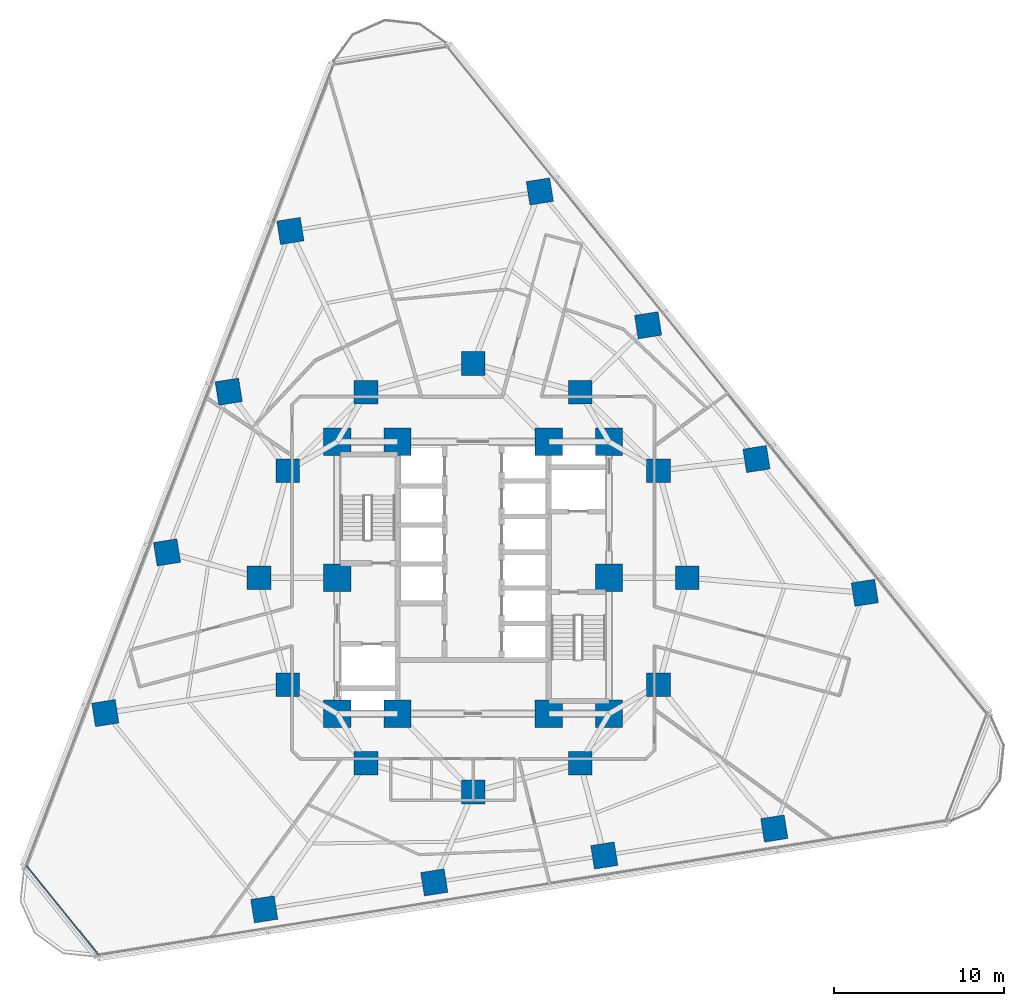
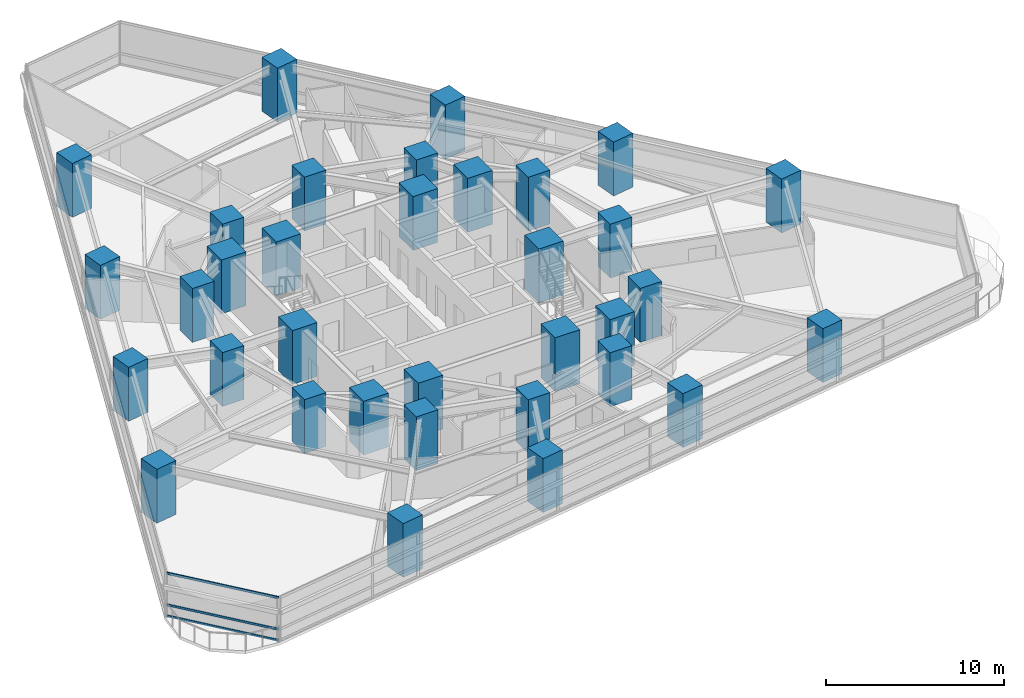
# One storey, part 1 of 13: 34 columns, 3 members, 1 element without a shape of its own.
"""IFC4 building model written with IfcOpenShell, lengths in metres."""

from ifc_helpers import new_model, si_unit, direction, frame, origin, origin_2d, place, context, subcontext, project, spatial, rectangle, extrude, material, layer, layer_set, material_profile, profile_set, type_object, element, aggregate, save


model = new_model("IFC4")

# Units and contexts
model_context = context("Model", 3, precision=1e-05, world=origin(), true_north=direction((0.0, 1.0)))
body_context = subcontext(model_context, "Body", "Model", "MODEL_VIEW")
ifc_project = project(units=[si_unit("LENGTHUNIT", "METRE"), si_unit("AREAUNIT", "SQUARE_METRE"), si_unit("VOLUMEUNIT", "CUBIC_METRE"), si_unit("PLANEANGLEUNIT", "RADIAN"), si_unit("MASSUNIT", "GRAM", prefix="KILO")], contexts=[model_context])

# Site, building, storey
site_placement = place(None, origin())
site = spatial("IfcSite", under=ifc_project, at=site_placement, CompositionType="ELEMENT")
building_placement = place(site_placement, origin())
building = spatial("IfcBuilding", under=site, at=building_placement, Name="Terralouvre Media Tower", CompositionType="ELEMENT")
storey_placement = place(building_placement, frame((0.0, 0.0, 55.60009765625)))
storey = spatial("IfcBuildingStorey", under=building, at=storey_placement, Name="L13", CompositionType="ELEMENT", Elevation=55.60009765625)

# Columns
ifc_material_1 = material(Name="Concrete C60/75", Category="concrete")
ifc_material_profile_1 = material_profile(ifc_material_1, rectangle(XDim=1.39990234375, YDim=1.39990234375, at=origin_2d()), Name="RC 1400x1400")
ifc_profile_set_1 = profile_set([ifc_material_profile_1], Name="Concrete C60/75")
column_type_1 = type_object("IfcColumnType", Name="Structural Column C-RC1400 (RC 1400x1400)", PredefinedType="COLUMN", material=ifc_profile_set_1)
for number, where, z_axis, x_axis, name in (
    (1, (12.60009765625, 0.0, 0.0), (0.0, 0.0, 1.0), (1.0, 0.0, 0.0), "L13 Mega-Frame Column MC01"),
    (2, (10.911865234375, 6.300048828125, 0.0), (0.0, 0.0, 1.0), (1.0, 0.0, 0.0), "L13 Mega-Frame Column MC02"),
    (3, (6.300048828125, 10.911865234375, 0.0), (0.0, 0.0, 1.0), (1.0, 0.0, 0.0), "L13 Mega-Frame Column MC03"),
    (4, (0.0, 12.60009765625, 0.0), (0.0, 0.0, 1.0), (1.0, 0.0, 0.0), "L13 Mega-Frame Column MC04"),
    (5, (-6.300048828125, 10.911865234375, 0.0), (0.0, 0.0, 1.0), (1.0, 0.0, 0.0), "L13 Mega-Frame Column MC05"),
    (6, (-10.911865234375, 6.300048828125, 0.0), (0.0, 0.0, 1.0), (1.0, 0.0, 0.0), "L13 Mega-Frame Column MC06"),
    (7, (-12.60009765625, 0.0, 0.0), (0.0, 0.0, 1.0), (1.0, 0.0, 0.0), "L13 Mega-Frame Column MC07"),
    (8, (-10.911865234375, -6.300048828125, 0.0), (0.0, 0.0, 1.0), (1.0, 0.0, 0.0), "L13 Mega-Frame Column MC08"),
    (9, (-6.300048828125, -10.911865234375, 0.0), (0.0, 0.0, 1.0), (1.0, 0.0, 0.0), "L13 Mega-Frame Column MC09"),
    (10, (0.0, -12.60009765625, 0.0), (0.0, 0.0, 1.0), (1.0, 0.0, 0.0), "L13 Mega-Frame Column MC10"),
    (11, (6.300048828125, -10.911865234375, 0.0), (0.0, 0.0, 1.0), (1.0, 0.0, 0.0), "L13 Mega-Frame Column MC11"),
    (12, (10.911865234375, -6.300048828125, 0.0), (0.0, 0.0, 1.0), (1.0, 0.0, 0.0), "L13 Mega-Frame Column MC12"),
    (13, (-12.291015625, -19.511474609375, 0.0), (0.0, 0.0, 1.0), (0.987688340595, 0.15643446504, 0.0), "L13 Perimeter Mega-Column PC11"),
    (14, (-2.287841796875, -17.927001953125, 0.0), (0.0, 0.0, 1.0), (0.987688340595, 0.15643446504, 0.0), "L13 Perimeter Mega-Column PC12"),
    (15, (7.715576171875, -16.3427734375, 0.0), (0.0, 0.0, 1.0), (0.987688340595, 0.15643446504, 0.0), "L13 Perimeter Mega-Column PC13"),
    (16, (17.71875, -14.75830078125, 0.0), (0.0, 0.0, 1.0), (0.987688340595, 0.15643446504, 0.0), "L13 Perimeter Mega-Column PC14"),
    (17, (23.04296875, -0.888671875, 0.0), (0.0, 0.0, 1.0), (0.987688340595, 0.15643446504, 0.0), "L13 Perimeter Mega-Column PC21"),
    (18, (16.669189453125, 6.982421875, 0.0), (0.0, 0.0, 1.0), (0.987688340595, 0.15643446504, 0.0), "L13 Perimeter Mega-Column PC22"),
    (19, (10.29541015625, 14.853271484375, 0.0), (0.0, 0.0, 1.0), (0.987688340595, 0.15643446504, 0.0), "L13 Perimeter Mega-Column PC23"),
    (20, (3.921630859375, 22.72412109375, 0.0), (0.0, 0.0, 1.0), (0.987688340595, 0.15643446504, 0.0), "L13 Perimeter Mega-Column PC24"),
    (21, (-10.751953125, 20.400146484375, 0.0), (0.0, 0.0, 1.0), (0.987688340595, 0.15643446504, 0.0), "L13 Perimeter Mega-Column PC31"),
    (22, (-14.38134765625, 10.94482421875, 0.0), (0.0, 0.0, 1.0), (0.987688340595, 0.15643446504, 0.0), "L13 Perimeter Mega-Column PC32"),
    (23, (-18.010986328125, 1.489501953125, 0.0), (0.0, 0.0, 1.0), (0.987688340595, 0.15643446504, 0.0), "L13 Perimeter Mega-Column PC33"),
    (24, (-21.640625, -7.9658203125, 0.0), (0.0, 0.0, 1.0), (0.987688340595, 0.15643446504, 0.0), "L13 Perimeter Mega-Column PC34"),
):
    element("IfcColumn", number, at=place(storey_placement, frame(where, z_axis=z_axis, x_axis=x_axis)), inside=storey, type_object=column_type_1, Name=name, PredefinedType="COLUMN", context=body_context, shape_type="SweptSolid", body=[
        extrude(rectangle(XDim=1.39990234375, YDim=1.39990234375, at=origin_2d()), origin(), (0.0, 0.0, 1.0), 3.699951171875),
    ])
ifc_material_2 = material(Name="Concrete C60/75", Category="concrete")
ifc_material_profile_2 = material_profile(ifc_material_2, rectangle(XDim=1.60009765625, YDim=1.60009765625, at=origin_2d()), Name="RC 1600x1600")
ifc_profile_set_2 = profile_set([ifc_material_profile_2], Name="Concrete C60/75")
column_type_2 = type_object("IfcColumnType", Name="Structural Column C-RC1600 (RC 1600x1600)", PredefinedType="COLUMN", material=ifc_profile_set_2)
for number, where, z_axis, x_axis, name in (
    (25, (-8.0, -8.0, 0.0), (0.0, 0.0, 1.0), (1.0, 0.0, 0.0), "L13 Core Pilaster Column CP1"),
    (26, (-4.449951171875, -8.0, 0.0), (0.0, 0.0, 1.0), (1.0, 0.0, 0.0), "L13 Core Pilaster Column CP2"),
    (27, (4.449951171875, -8.0, 0.0), (0.0, 0.0, 1.0), (1.0, 0.0, 0.0), "L13 Core Pilaster Column CP10"),
    (28, (8.0, -8.0, 0.0), (0.0, 0.0, 1.0), (1.0, 0.0, 0.0), "L13 Core Pilaster Column CP3"),
    (29, (8.0, 0.0, 0.0), (0.0, 0.0, 1.0), (1.0, 0.0, 0.0), "L13 Core Pilaster Column CP4"),
    (30, (8.0, 8.0, 0.0), (0.0, 0.0, 1.0), (1.0, 0.0, 0.0), "L13 Core Pilaster Column CP5"),
    (31, (4.449951171875, 8.0, 0.0), (0.0, 0.0, 1.0), (1.0, 0.0, 0.0), "L13 Core Pilaster Column CP9"),
    (32, (-4.449951171875, 8.0, 0.0), (0.0, 0.0, 1.0), (1.0, 0.0, 0.0), "L13 Core Pilaster Column CP6"),
    (33, (-8.0, 8.0, 0.0), (0.0, 0.0, 1.0), (1.0, 0.0, 0.0), "L13 Core Pilaster Column CP7"),
    (34, (-8.0, 0.0, 0.0), (0.0, 0.0, 1.0), (1.0, 0.0, 0.0), "L13 Core Pilaster Column CP8"),
):
    element("IfcColumn", number, at=place(storey_placement, frame(where, z_axis=z_axis, x_axis=x_axis)), inside=storey, type_object=column_type_2, Name=name, PredefinedType="COLUMN", context=body_context, shape_type="SweptSolid", body=[
        extrude(rectangle(XDim=1.60009765625, YDim=1.60009765625, at=origin_2d()), origin(), (0.0, 0.0, 1.0), 3.699951171875),
    ])

# Curtain wall, members
ifc_material_3 = material(Name="Low-iron laminated double glazing with solar-control coating", Category="glass")
ifc_layer = layer(ifc_material_3, 0.1650390625, Name="Rounded Wind-Corner Curved Glazing CW-04")
ifc_layer_set = layer_set([ifc_layer], Name="Low-iron laminated double glazing with solar-control coating")
curtain_wall_type = type_object("IfcCurtainWallType", Name="Rounded Wind-Corner Curved Glazing CW-04", PredefinedType="NOTDEFINED", material=ifc_layer_set)
curtain_wall_placement = place(storey_placement, origin())
curtain_wall = element("IfcCurtainWall", 35, at=curtain_wall_placement, inside=storey, type_object=curtain_wall_type, Name="L13 Rounded Wind-Corner Curtain Wall C0", PredefinedType="NOTDEFINED")
ifc_material_4 = material(Name="Anodised extruded aluminium 6063-T6", Category="aluminium")
ifc_material_profile_3 = material_profile(ifc_material_4, rectangle(XDim=0.074951171875, YDim=0.14990234375, at=origin_2d()), Name="ALU 75x150")
ifc_profile_set_3 = profile_set([ifc_material_profile_3], Name="Anodised extruded aluminium 6063-T6")
member_type = type_object("IfcMemberType", Name="Curtain-Wall Horizontal Transom TR-150", PredefinedType="USERDEFINED", material=ifc_profile_set_3)
member_1_placement = place(storey_placement, frame((-26.281005859375, -16.943359375, 0.037353515625), z_axis=(0.629324238094, -0.777142846167, 0.0), x_axis=(0.777142846167, 0.629324238094, 0.0)))
member_1 = element("IfcMember", 36, at=member_1_placement, type_object=member_type, Name="CW-04 transom 1.1", ObjectType="TRANSOM", PredefinedType="USERDEFINED", context=body_context, shape_type="SweptSolid", body=[
    extrude(rectangle(XDim=0.074951171875, YDim=0.14990234375, at=origin_2d()), origin(), (0.0, 0.0, 1.0), 6.74365234375),
])
member_2_placement = place(storey_placement, frame((-26.281005859375, -16.943359375, 0.7998046875), z_axis=(0.629324238094, -0.777142846167, 0.0), x_axis=(0.777142846167, 0.629324238094, 0.0)))
member_2 = element("IfcMember", 37, at=member_2_placement, type_object=member_type, Name="CW-04 transom 1.2", ObjectType="TRANSOM", PredefinedType="USERDEFINED", context=body_context, shape_type="SweptSolid", body=[
    extrude(rectangle(XDim=0.074951171875, YDim=0.14990234375, at=origin_2d()), origin(), (0.0, 0.0, 1.0), 6.74365234375),
])
member_3_placement = place(storey_placement, frame((-26.281005859375, -16.943359375, 2.96240234375), z_axis=(0.629324238094, -0.777142846167, 0.0), x_axis=(0.777142846167, 0.629324238094, 0.0)))
member_3 = element("IfcMember", 38, at=member_3_placement, type_object=member_type, Name="CW-04 transom 1.3", ObjectType="TRANSOM", PredefinedType="USERDEFINED", context=body_context, shape_type="SweptSolid", body=[
    extrude(rectangle(XDim=0.074951171875, YDim=0.14990234375, at=origin_2d()), origin(), (0.0, 0.0, 1.0), 6.74365234375),
])
aggregate(curtain_wall, [member_1, member_2, member_3])

save(model, "model.ifc")
